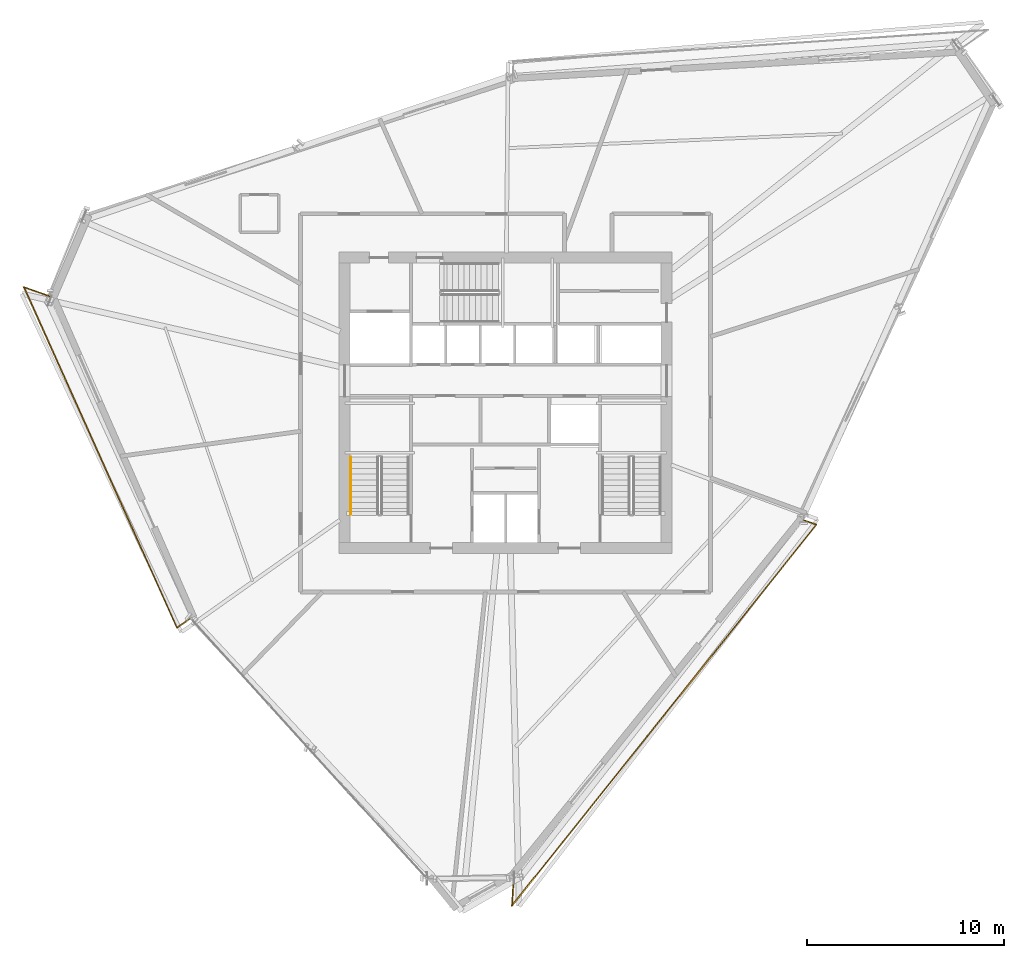
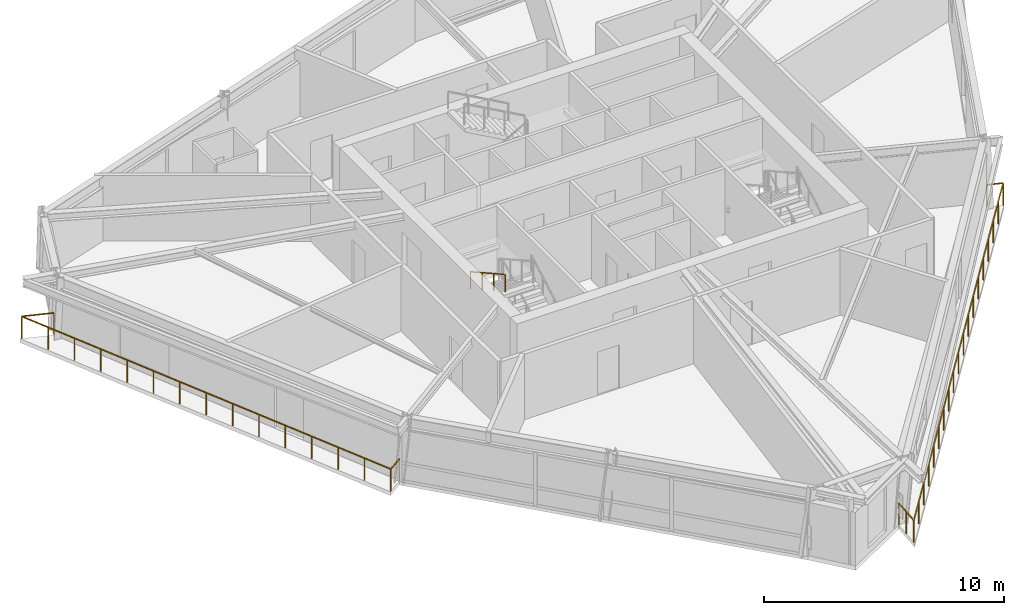
# One storey, part 11 of 13: 3 railings.
"""IFC4 building model written with IfcOpenShell, lengths in metres."""

from ifc_helpers import new_model, si_unit, direction, frame, origin, origin_2d, place, context, subcontext, project, spatial, rectangle, extrude, material, type_object, element, save


model = new_model("IFC4")

# Units and contexts
model_context = context("Model", 3, precision=1e-05, world=origin(), true_north=direction((0.0, 1.0)))
body_context = subcontext(model_context, "Body", "Model", "MODEL_VIEW")
ifc_project = project(units=[si_unit("LENGTHUNIT", "METRE"), si_unit("AREAUNIT", "SQUARE_METRE"), si_unit("VOLUMEUNIT", "CUBIC_METRE"), si_unit("PLANEANGLEUNIT", "RADIAN"), si_unit("MASSUNIT", "GRAM", prefix="KILO")], contexts=[model_context])

# Site, building, storey
site_placement = place(None, origin())
site = spatial("IfcSite", under=ifc_project, at=site_placement, CompositionType="ELEMENT")
building_placement = place(site_placement, origin())
building = spatial("IfcBuilding", under=site, at=building_placement, Name="Olszyna Solenne Hotel", CompositionType="ELEMENT")
storey_placement = place(building_placement, frame((0.0, 0.0, 175.0)))
storey = spatial("IfcBuildingStorey", under=building, at=storey_placement, Name="L46", CompositionType="ELEMENT", Elevation=175.0)

# Railings
ifc_material_1 = material(Name="Anodised bronze aluminium", Category="aluminium")
railing_type_1 = type_object("IfcRailingType", Name="GR-110", PredefinedType="BALUSTRADE", material=ifc_material_1)
railing_1_placement = place(storey_placement, frame((14.850830078125, 32.01904296875, 0.0)))
element("IfcRailing", 1, at=railing_1_placement, inside=storey, type_object=railing_type_1, Name="Loggia balcony balustrade guard GR-L46-LG2", PredefinedType="BALUSTRADE", context=body_context, shape_type="SweptSolid", body=[
    extrude(rectangle(XDim=0.048095703125, YDim=0.048095703125, at=origin_2d()), frame((0.0, 0.0, 1.1259765625), z_axis=(-0.94418353733, 0.329419865574, 0.0), x_axis=(-0.329419865574, -0.94418353733, 0.0)), (0.0, 0.0, 1.0), 1.379150390625),
    extrude(rectangle(XDim=0.048095703125, YDim=0.048095703125, at=origin_2d()), frame((-1.30224609375, 0.454345703125, 1.1259765625), z_axis=(0.409927062491, -0.912118305615, 0.0), x_axis=(0.912118305615, 0.409927062491, 0.0)), (0.0, 0.0, 1.0), 18.9541015625),
    extrude(rectangle(XDim=0.048095703125, YDim=0.048095703125, at=origin_2d()), frame((6.467529296875, -16.833984375, 1.1259765625), z_axis=(0.822835849481, 0.56827912579, 0.0), x_axis=(-0.56827912579, 0.822835849481, 0.0)), (0.0, 0.0, 1.0), 0.845947265625),
    extrude(rectangle(XDim=0.0419921875, YDim=0.0419921875, at=origin_2d()), origin(), (0.0, 0.0, 1.0), 1.101806640625),
    extrude(rectangle(XDim=0.0419921875, YDim=0.0419921875, at=origin_2d()), frame((-1.30224609375, 0.454345703125, 0.0)), (0.0, 0.0, 1.0), 1.101806640625),
    extrude(rectangle(XDim=0.0419921875, YDim=0.0419921875, at=origin_2d()), frame((-0.747314453125, -0.780517578125, 0.0)), (0.0, 0.0, 1.0), 1.101806640625),
    extrude(rectangle(XDim=0.0419921875, YDim=0.0419921875, at=origin_2d()), frame((-0.1923828125, -2.015380859375, 0.0)), (0.0, 0.0, 1.0), 1.101806640625),
    extrude(rectangle(XDim=0.0419921875, YDim=0.0419921875, at=origin_2d()), frame((0.36279296875, -3.250244140625, 0.0)), (0.0, 0.0, 1.0), 1.101806640625),
    extrude(rectangle(XDim=0.0419921875, YDim=0.0419921875, at=origin_2d()), frame((0.917724609375, -4.485107421875, 0.0)), (0.0, 0.0, 1.0), 1.101806640625),
    extrude(rectangle(XDim=0.0419921875, YDim=0.0419921875, at=origin_2d()), frame((1.47265625, -5.719970703125, 0.0)), (0.0, 0.0, 1.0), 1.101806640625),
    extrude(rectangle(XDim=0.0419921875, YDim=0.0419921875, at=origin_2d()), frame((2.027587890625, -6.954833984375, 0.0)), (0.0, 0.0, 1.0), 1.101806640625),
    extrude(rectangle(XDim=0.0419921875, YDim=0.0419921875, at=origin_2d()), frame((2.58251953125, -8.18994140625, 0.0)), (0.0, 0.0, 1.0), 1.101806640625),
    extrude(rectangle(XDim=0.0419921875, YDim=0.0419921875, at=origin_2d()), frame((3.1376953125, -9.4248046875, 0.0)), (0.0, 0.0, 1.0), 1.101806640625),
    extrude(rectangle(XDim=0.0419921875, YDim=0.0419921875, at=origin_2d()), frame((3.692626953125, -10.65966796875, 0.0)), (0.0, 0.0, 1.0), 1.101806640625),
    extrude(rectangle(XDim=0.0419921875, YDim=0.0419921875, at=origin_2d()), frame((4.24755859375, -11.89453125, 0.0)), (0.0, 0.0, 1.0), 1.101806640625),
    extrude(rectangle(XDim=0.0419921875, YDim=0.0419921875, at=origin_2d()), frame((4.802490234375, -13.12939453125, 0.0)), (0.0, 0.0, 1.0), 1.101806640625),
    extrude(rectangle(XDim=0.0419921875, YDim=0.0419921875, at=origin_2d()), frame((5.357666015625, -14.3642578125, 0.0)), (0.0, 0.0, 1.0), 1.101806640625),
    extrude(rectangle(XDim=0.0419921875, YDim=0.0419921875, at=origin_2d()), frame((5.91259765625, -15.59912109375, 0.0)), (0.0, 0.0, 1.0), 1.101806640625),
    extrude(rectangle(XDim=0.0419921875, YDim=0.0419921875, at=origin_2d()), frame((6.467529296875, -16.833984375, 0.0)), (0.0, 0.0, 1.0), 1.101806640625),
    extrude(rectangle(XDim=0.0419921875, YDim=0.0419921875, at=origin_2d()), frame((7.16357421875, -16.353271484375, 0.0)), (0.0, 0.0, 1.0), 1.101806640625),
])
railing_2_placement = place(storey_placement, frame((38.4111328125, 2.48779296875, 0.0)))
element("IfcRailing", 2, at=railing_2_placement, inside=storey, type_object=railing_type_1, Name="Loggia balcony balustrade guard GR-L46-LG3", PredefinedType="BALUSTRADE", context=body_context, shape_type="SweptSolid", body=[
    extrude(rectangle(XDim=0.048095703125, YDim=0.048095703125, at=origin_2d()), frame((0.0, 0.0, 1.1259765625), z_axis=(-0.063503228592, -0.997981633077, 0.0), x_axis=(0.997981633077, -0.063503228592, 0.0)), (0.0, 0.0, 1.0), 1.418701171875),
    extrude(rectangle(XDim=0.048095703125, YDim=0.048095703125, at=origin_2d()), frame((-0.090087890625, -1.415771484375, 1.1259765625), z_axis=(0.624368036104, 0.781130306346, 0.0), x_axis=(-0.781130306346, 0.624368036104, 0.0)), (0.0, 0.0, 1.0), 24.768798828125),
    extrude(rectangle(XDim=0.048095703125, YDim=0.048095703125, at=origin_2d()), frame((15.374755859375, 17.931884765625, 1.1259765625), z_axis=(-0.944200181446, 0.329372156318, 0.0), x_axis=(-0.329372156318, -0.944200181446, 0.0)), (0.0, 0.0, 1.0), 0.689453125),
    extrude(rectangle(XDim=0.0419921875, YDim=0.0419921875, at=origin_2d()), origin(), (0.0, 0.0, 1.0), 1.101806640625),
    extrude(rectangle(XDim=0.0419921875, YDim=0.0419921875, at=origin_2d()), frame((-0.044921875, -0.7080078125, 0.0)), (0.0, 0.0, 1.0), 1.101806640625),
    extrude(rectangle(XDim=0.0419921875, YDim=0.0419921875, at=origin_2d()), frame((-0.090087890625, -1.415771484375, 0.0)), (0.0, 0.0, 1.0), 1.101806640625),
    extrude(rectangle(XDim=0.0419921875, YDim=0.0419921875, at=origin_2d()), frame((0.76904296875, -0.3408203125, 0.0)), (0.0, 0.0, 1.0), 1.101806640625),
    extrude(rectangle(XDim=0.0419921875, YDim=0.0419921875, at=origin_2d()), frame((1.628173828125, 0.73388671875, 0.0)), (0.0, 0.0, 1.0), 1.101806640625),
    extrude(rectangle(XDim=0.0419921875, YDim=0.0419921875, at=origin_2d()), frame((2.4873046875, 1.808837890625, 0.0)), (0.0, 0.0, 1.0), 1.101806640625),
    extrude(rectangle(XDim=0.0419921875, YDim=0.0419921875, at=origin_2d()), frame((3.346435546875, 2.8837890625, 0.0)), (0.0, 0.0, 1.0), 1.101806640625),
    extrude(rectangle(XDim=0.0419921875, YDim=0.0419921875, at=origin_2d()), frame((4.205810546875, 3.95849609375, 0.0)), (0.0, 0.0, 1.0), 1.101806640625),
    extrude(rectangle(XDim=0.0419921875, YDim=0.0419921875, at=origin_2d()), frame((5.06494140625, 5.033447265625, 0.0)), (0.0, 0.0, 1.0), 1.101806640625),
    extrude(rectangle(XDim=0.0419921875, YDim=0.0419921875, at=origin_2d()), frame((5.924072265625, 6.1083984375, 0.0)), (0.0, 0.0, 1.0), 1.101806640625),
    extrude(rectangle(XDim=0.0419921875, YDim=0.0419921875, at=origin_2d()), frame((6.783203125, 7.18310546875, 0.0)), (0.0, 0.0, 1.0), 1.101806640625),
    extrude(rectangle(XDim=0.0419921875, YDim=0.0419921875, at=origin_2d()), frame((7.642333984375, 8.258056640625, 0.0)), (0.0, 0.0, 1.0), 1.101806640625),
    extrude(rectangle(XDim=0.0419921875, YDim=0.0419921875, at=origin_2d()), frame((8.50146484375, 9.3330078125, 0.0)), (0.0, 0.0, 1.0), 1.101806640625),
    extrude(rectangle(XDim=0.0419921875, YDim=0.0419921875, at=origin_2d()), frame((9.360595703125, 10.40771484375, 0.0)), (0.0, 0.0, 1.0), 1.101806640625),
    extrude(rectangle(XDim=0.0419921875, YDim=0.0419921875, at=origin_2d()), frame((10.2197265625, 11.482666015625, 0.0)), (0.0, 0.0, 1.0), 1.101806640625),
    extrude(rectangle(XDim=0.0419921875, YDim=0.0419921875, at=origin_2d()), frame((11.078857421875, 12.5576171875, 0.0)), (0.0, 0.0, 1.0), 1.101806640625),
    extrude(rectangle(XDim=0.0419921875, YDim=0.0419921875, at=origin_2d()), frame((11.938232421875, 13.63232421875, 0.0)), (0.0, 0.0, 1.0), 1.101806640625),
    extrude(rectangle(XDim=0.0419921875, YDim=0.0419921875, at=origin_2d()), frame((12.79736328125, 14.707275390625, 0.0)), (0.0, 0.0, 1.0), 1.101806640625),
    extrude(rectangle(XDim=0.0419921875, YDim=0.0419921875, at=origin_2d()), frame((13.656494140625, 15.7822265625, 0.0)), (0.0, 0.0, 1.0), 1.101806640625),
    extrude(rectangle(XDim=0.0419921875, YDim=0.0419921875, at=origin_2d()), frame((14.515625, 16.85693359375, 0.0)), (0.0, 0.0, 1.0), 1.101806640625),
    extrude(rectangle(XDim=0.0419921875, YDim=0.0419921875, at=origin_2d()), frame((15.374755859375, 17.931884765625, 0.0)), (0.0, 0.0, 1.0), 1.101806640625),
    extrude(rectangle(XDim=0.0419921875, YDim=0.0419921875, at=origin_2d()), frame((14.723876953125, 18.158935546875, 0.0)), (0.0, 0.0, 1.0), 1.101806640625),
])
ifc_material_2 = material(Name="Steel S355J2", Category="steel")
railing_type_2 = type_object("IfcRailingType", Name="HR-090", PredefinedType="HANDRAIL", material=ifc_material_2)
railing_3_placement = place(storey_placement, frame((30.14990234375, 23.85009765625, 1.936279296875)))
element("IfcRailing", 3, at=railing_3_placement, inside=storey, type_object=railing_type_2, Name="L46 ST1 stair handrail 2", PredefinedType="HANDRAIL", context=body_context, shape_type="SweptSolid", body=[
    extrude(rectangle(XDim=0.048095703125, YDim=0.048095703125, at=origin_2d()), frame((0.0, 0.0, 0.8759765625), z_axis=(0.0, -0.873827439584, 0.48623616261), x_axis=(1.0, 0.0, 0.0)), (0.0, 0.0, 1.0), 3.31884765625),
    extrude(rectangle(XDim=0.0419921875, YDim=0.0419921875, at=origin_2d()), origin(), (0.0, 0.0, 1.0), 0.851806640625),
    extrude(rectangle(XDim=0.0419921875, YDim=0.0419921875, at=origin_2d()), frame((0.0, -0.966796875, 0.537841796875)), (0.0, 0.0, 1.0), 0.851806640625),
    extrude(rectangle(XDim=0.0419921875, YDim=0.0419921875, at=origin_2d()), frame((0.0, -1.933349609375, 1.075927734375)), (0.0, 0.0, 1.0), 0.851806640625),
    extrude(rectangle(XDim=0.0419921875, YDim=0.0419921875, at=origin_2d()), frame((0.0, -2.900146484375, 1.61376953125)), (0.0, 0.0, 1.0), 0.851806640625),
])

save(model, "model.ifc")
